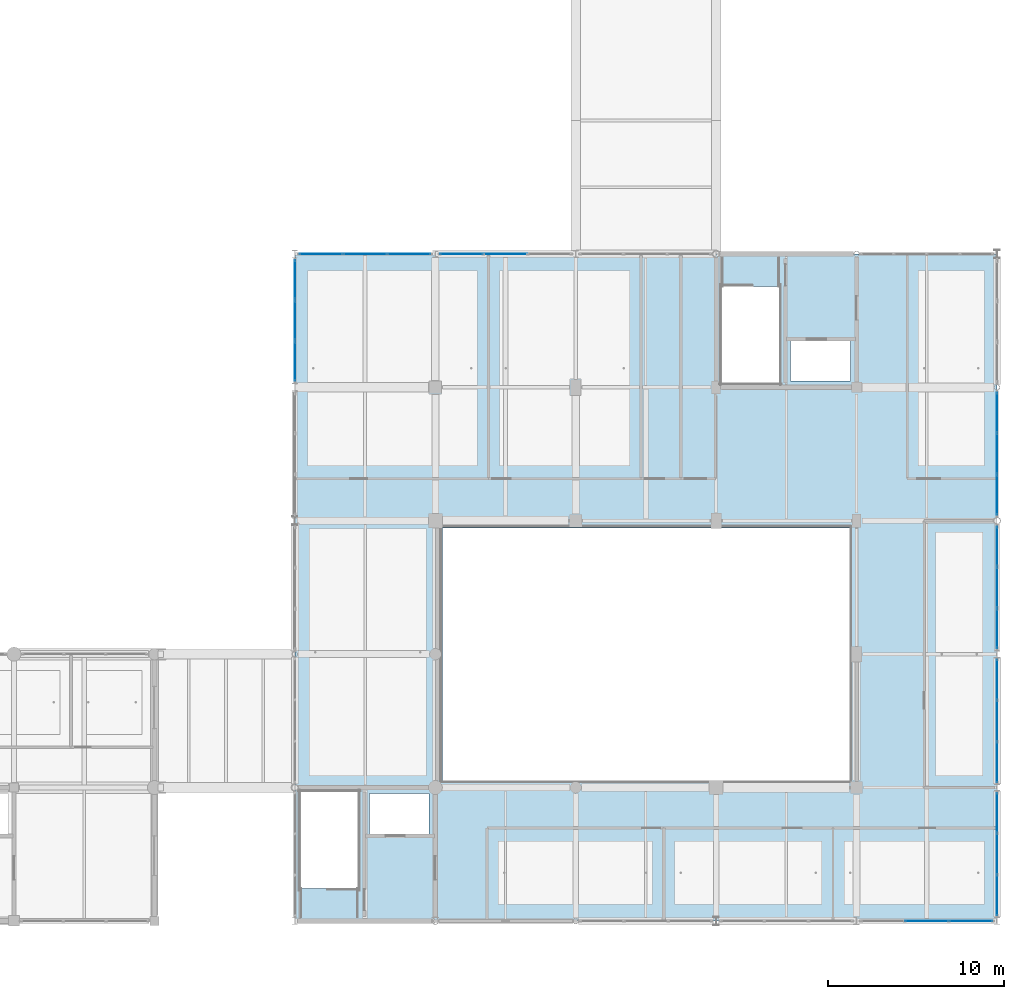
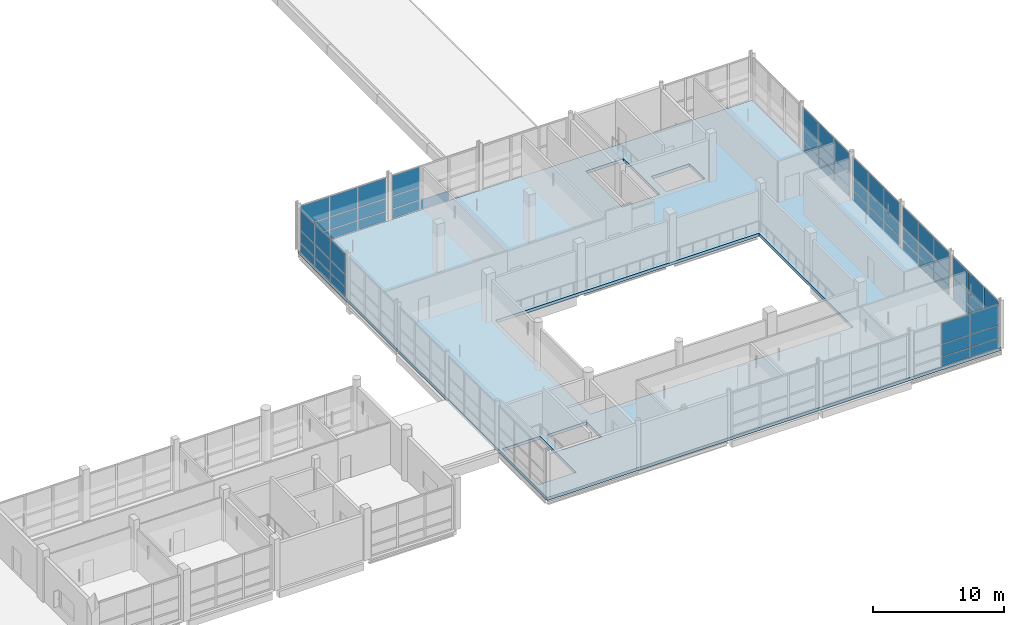
# One storey, part 61 of 107: 64 plates, 1 slab, 8 elements without a shape of their own.
"""IFC4 building model written with IfcOpenShell, lengths in metres."""

from ifc_helpers import new_model, si_unit, direction, frame, origin, origin_2d, place, context, subcontext, project, spatial, polyline, rectangle, outline, extrude, material, layer, layer_set, type_object, element, aggregate, save


model = new_model("IFC4")

# Units and contexts
model_context = context("Model", 3, precision=1e-05, world=origin(), true_north=direction((0.0, 1.0)))
body_context = subcontext(model_context, "Body", "Model", "MODEL_VIEW")
ifc_project = project(units=[si_unit("LENGTHUNIT", "METRE"), si_unit("AREAUNIT", "SQUARE_METRE"), si_unit("VOLUMEUNIT", "CUBIC_METRE"), si_unit("PLANEANGLEUNIT", "RADIAN"), si_unit("MASSUNIT", "GRAM", prefix="KILO")], contexts=[model_context])

# Site, building, storey
site_placement = place(None, origin())
site = spatial("IfcSite", under=ifc_project, at=site_placement, CompositionType="ELEMENT")
building_placement = place(site_placement, origin())
building = spatial("IfcBuilding", under=site, at=building_placement, Name="Khelvaren Railside Concert Hall", CompositionType="ELEMENT")
storey_placement = place(building_placement, frame((0.0, 0.0, 15.0)))
storey = spatial("IfcBuildingStorey", under=building, at=storey_placement, Name="L03", CompositionType="ELEMENT", Elevation=15.0)

# Curtain wall, plates
ifc_material_1 = material(Name="Double-glazed clear foyer glass", Category="glass")
curtain_wall_type_1 = type_object("IfcCurtainWallType", Name="CW70", PredefinedType="USERDEFINED", material=ifc_material_1)
curtain_wall_1_placement = place(storey_placement, origin())
curtain_wall_1 = element("IfcCurtainWall", 1, at=curtain_wall_1_placement, inside=storey, type_object=curtain_wall_type_1, Name="Unitised Curtain Wall CW-V2-L03-E-15", ObjectType="UNITISED CURTAIN WALL", PredefinedType="USERDEFINED")
ifc_layer_1 = layer(ifc_material_1, 0.0439453125)
ifc_layer_set_1 = layer_set([ifc_layer_1], Name="Double-glazed clear foyer glass")
plate_type_1 = type_object("IfcPlateType", Name="CWP33", PredefinedType="CURTAIN_PANEL", material=ifc_layer_set_1)
plate_1_placement = place(storey_placement, frame((184.0, 21.329345703125, 0.06494140625), z_axis=(0.0, 0.0, 1.0), x_axis=(0.0, -1.0, 0.0)))
plate_1 = element("IfcPlate", 2, at=plate_1_placement, type_object=plate_type_1, Name="CW70 panel 1.1", PredefinedType="CURTAIN_PANEL", context=body_context, shape_type="SweptSolid", body=[
    extrude(rectangle(XDim=2.23974609375, YDim=0.0439453125, at=origin_2d()), origin(), (0.0, 0.0, 1.0), 0.8525390625),
])
plate_2_placement = place(storey_placement, frame((184.0, 21.329345703125, 0.982421875), z_axis=(0.0, 0.0, 1.0), x_axis=(0.0, -1.0, 0.0)))
plate_2 = element("IfcPlate", 3, at=plate_2_placement, type_object=plate_type_1, Name="CW70 panel 1.2", PredefinedType="CURTAIN_PANEL", context=body_context, shape_type="SweptSolid", body=[
    extrude(rectangle(XDim=2.23974609375, YDim=0.0439453125, at=origin_2d()), origin(), (0.0, 0.0, 1.0), 1.12744140625),
])
plate_3_placement = place(storey_placement, frame((184.0, 21.329345703125, 2.1748046875), z_axis=(0.0, 0.0, 1.0), x_axis=(0.0, -1.0, 0.0)))
plate_3 = element("IfcPlate", 4, at=plate_3_placement, type_object=plate_type_1, Name="CW70 panel 1.3", PredefinedType="CURTAIN_PANEL", context=body_context, shape_type="SweptSolid", body=[
    extrude(rectangle(XDim=2.23974609375, YDim=0.0439453125, at=origin_2d()), origin(), (0.0, 0.0, 1.0), 1.880126953125),
])
plate_4_placement = place(storey_placement, frame((184.0, 18.995849609375, 0.06494140625), z_axis=(0.0, 0.0, 1.0), x_axis=(0.0, -1.0, 0.0)))
plate_4 = element("IfcPlate", 5, at=plate_4_placement, type_object=plate_type_1, Name="CW70 panel 2.1", PredefinedType="CURTAIN_PANEL", context=body_context, shape_type="SweptSolid", body=[
    extrude(rectangle(XDim=2.27734375, YDim=0.0439453125, at=origin_2d()), origin(), (0.0, 0.0, 1.0), 0.8525390625),
])
plate_5_placement = place(storey_placement, frame((184.0, 18.995849609375, 0.982421875), z_axis=(0.0, 0.0, 1.0), x_axis=(0.0, -1.0, 0.0)))
plate_5 = element("IfcPlate", 6, at=plate_5_placement, type_object=plate_type_1, Name="CW70 panel 2.2", PredefinedType="CURTAIN_PANEL", context=body_context, shape_type="SweptSolid", body=[
    extrude(rectangle(XDim=2.27734375, YDim=0.0439453125, at=origin_2d()), origin(), (0.0, 0.0, 1.0), 1.12744140625),
])
plate_6_placement = place(storey_placement, frame((184.0, 18.995849609375, 2.1748046875), z_axis=(0.0, 0.0, 1.0), x_axis=(0.0, -1.0, 0.0)))
plate_6 = element("IfcPlate", 7, at=plate_6_placement, type_object=plate_type_1, Name="CW70 panel 2.3", PredefinedType="CURTAIN_PANEL", context=body_context, shape_type="SweptSolid", body=[
    extrude(rectangle(XDim=2.27734375, YDim=0.0439453125, at=origin_2d()), origin(), (0.0, 0.0, 1.0), 1.880126953125),
])
plate_7_placement = place(storey_placement, frame((184.0, 16.662353515625, 0.06494140625), z_axis=(0.0, 0.0, 1.0), x_axis=(0.0, -1.0, 0.0)))
plate_7 = element("IfcPlate", 8, at=plate_7_placement, type_object=plate_type_1, Name="CW70 panel 3.1", PredefinedType="CURTAIN_PANEL", context=body_context, shape_type="SweptSolid", body=[
    extrude(rectangle(XDim=2.23974609375, YDim=0.0439453125, at=origin_2d()), origin(), (0.0, 0.0, 1.0), 0.8525390625),
])
plate_8_placement = place(storey_placement, frame((184.0, 16.662353515625, 0.982421875), z_axis=(0.0, 0.0, 1.0), x_axis=(0.0, -1.0, 0.0)))
plate_8 = element("IfcPlate", 9, at=plate_8_placement, type_object=plate_type_1, Name="CW70 panel 3.2", PredefinedType="CURTAIN_PANEL", context=body_context, shape_type="SweptSolid", body=[
    extrude(rectangle(XDim=2.23974609375, YDim=0.0439453125, at=origin_2d()), origin(), (0.0, 0.0, 1.0), 1.12744140625),
])
plate_9_placement = place(storey_placement, frame((184.0, 16.662353515625, 2.1748046875), z_axis=(0.0, 0.0, 1.0), x_axis=(0.0, -1.0, 0.0)))
plate_9 = element("IfcPlate", 10, at=plate_9_placement, type_object=plate_type_1, Name="CW70 panel 3.3", PredefinedType="CURTAIN_PANEL", context=body_context, shape_type="SweptSolid", body=[
    extrude(rectangle(XDim=2.23974609375, YDim=0.0439453125, at=origin_2d()), origin(), (0.0, 0.0, 1.0), 1.880126953125),
])
aggregate(curtain_wall_1, [plate_1, plate_2, plate_3, plate_4, plate_5, plate_6, plate_7, plate_8, plate_9])

curtain_wall_type_2 = type_object("IfcCurtainWallType", Name="CW83", PredefinedType="USERDEFINED", material=ifc_material_1)
curtain_wall_2_placement = place(storey_placement, origin())
curtain_wall_2 = element("IfcCurtainWall", 11, at=curtain_wall_2_placement, inside=storey, type_object=curtain_wall_type_2, Name="Unitised Curtain Wall CW-V2-L03-E-23", ObjectType="UNITISED CURTAIN WALL", PredefinedType="USERDEFINED")
plate_10_placement = place(storey_placement, frame((184.0, 28.965087890625, 0.06494140625), z_axis=(0.0, 0.0, 1.0), x_axis=(0.0, -1.0, 0.0)))
plate_10 = element("IfcPlate", 12, at=plate_10_placement, type_object=plate_type_1, Name="CW83 panel 1.1", PredefinedType="CURTAIN_PANEL", context=body_context, shape_type="SweptSolid", body=[
    extrude(rectangle(XDim=2.250732421875, YDim=0.0439453125, at=origin_2d()), origin(), (0.0, 0.0, 1.0), 0.8525390625),
])
plate_11_placement = place(storey_placement, frame((184.0, 28.965087890625, 0.982421875), z_axis=(0.0, 0.0, 1.0), x_axis=(0.0, -1.0, 0.0)))
plate_11 = element("IfcPlate", 13, at=plate_11_placement, type_object=plate_type_1, Name="CW83 panel 1.2", PredefinedType="CURTAIN_PANEL", context=body_context, shape_type="SweptSolid", body=[
    extrude(rectangle(XDim=2.250732421875, YDim=0.0439453125, at=origin_2d()), origin(), (0.0, 0.0, 1.0), 1.12744140625),
])
plate_12_placement = place(storey_placement, frame((184.0, 28.965087890625, 2.1748046875), z_axis=(0.0, 0.0, 1.0), x_axis=(0.0, -1.0, 0.0)))
plate_12 = element("IfcPlate", 14, at=plate_12_placement, type_object=plate_type_1, Name="CW83 panel 1.3", PredefinedType="CURTAIN_PANEL", context=body_context, shape_type="SweptSolid", body=[
    extrude(rectangle(XDim=2.250732421875, YDim=0.0439453125, at=origin_2d()), origin(), (0.0, 0.0, 1.0), 1.880126953125),
])
plate_13_placement = place(storey_placement, frame((184.0, 26.62060546875, 0.06494140625), z_axis=(0.0, 0.0, 1.0), x_axis=(0.0, -1.0, 0.0)))
plate_13 = element("IfcPlate", 15, at=plate_13_placement, type_object=plate_type_1, Name="CW83 panel 2.1", PredefinedType="CURTAIN_PANEL", context=body_context, shape_type="SweptSolid", body=[
    extrude(rectangle(XDim=2.288330078125, YDim=0.0439453125, at=origin_2d()), origin(), (0.0, 0.0, 1.0), 0.8525390625),
])
plate_14_placement = place(storey_placement, frame((184.0, 26.62060546875, 0.982421875), z_axis=(0.0, 0.0, 1.0), x_axis=(0.0, -1.0, 0.0)))
plate_14 = element("IfcPlate", 16, at=plate_14_placement, type_object=plate_type_1, Name="CW83 panel 2.2", PredefinedType="CURTAIN_PANEL", context=body_context, shape_type="SweptSolid", body=[
    extrude(rectangle(XDim=2.288330078125, YDim=0.0439453125, at=origin_2d()), origin(), (0.0, 0.0, 1.0), 1.12744140625),
])
plate_15_placement = place(storey_placement, frame((184.0, 26.62060546875, 2.1748046875), z_axis=(0.0, 0.0, 1.0), x_axis=(0.0, -1.0, 0.0)))
plate_15 = element("IfcPlate", 17, at=plate_15_placement, type_object=plate_type_1, Name="CW83 panel 2.3", PredefinedType="CURTAIN_PANEL", context=body_context, shape_type="SweptSolid", body=[
    extrude(rectangle(XDim=2.288330078125, YDim=0.0439453125, at=origin_2d()), origin(), (0.0, 0.0, 1.0), 1.880126953125),
])
plate_16_placement = place(storey_placement, frame((184.0, 24.276123046875, 0.06494140625), z_axis=(0.0, 0.0, 1.0), x_axis=(0.0, -1.0, 0.0)))
plate_16 = element("IfcPlate", 18, at=plate_16_placement, type_object=plate_type_1, Name="CW83 panel 3.1", PredefinedType="CURTAIN_PANEL", context=body_context, shape_type="SweptSolid", body=[
    extrude(rectangle(XDim=2.250732421875, YDim=0.0439453125, at=origin_2d()), origin(), (0.0, 0.0, 1.0), 0.8525390625),
])
plate_17_placement = place(storey_placement, frame((184.0, 24.276123046875, 0.982421875), z_axis=(0.0, 0.0, 1.0), x_axis=(0.0, -1.0, 0.0)))
plate_17 = element("IfcPlate", 19, at=plate_17_placement, type_object=plate_type_1, Name="CW83 panel 3.2", PredefinedType="CURTAIN_PANEL", context=body_context, shape_type="SweptSolid", body=[
    extrude(rectangle(XDim=2.250732421875, YDim=0.0439453125, at=origin_2d()), origin(), (0.0, 0.0, 1.0), 1.12744140625),
])
plate_18_placement = place(storey_placement, frame((184.0, 24.276123046875, 2.1748046875), z_axis=(0.0, 0.0, 1.0), x_axis=(0.0, -1.0, 0.0)))
plate_18 = element("IfcPlate", 20, at=plate_18_placement, type_object=plate_type_1, Name="CW83 panel 3.3", PredefinedType="CURTAIN_PANEL", context=body_context, shape_type="SweptSolid", body=[
    extrude(rectangle(XDim=2.250732421875, YDim=0.0439453125, at=origin_2d()), origin(), (0.0, 0.0, 1.0), 1.880126953125),
])
aggregate(curtain_wall_2, [plate_10, plate_11, plate_12, plate_13, plate_14, plate_15, plate_16, plate_17, plate_18])

ifc_material_2 = material(Name="Acoustic laminated crystal facade glass", Category="glass")
curtain_wall_type_3 = type_object("IfcCurtainWallType", Name="CW21", PredefinedType="USERDEFINED", material=ifc_material_2)
curtain_wall_3_placement = place(storey_placement, origin())
curtain_wall_3 = element("IfcCurtainWall", 21, at=curtain_wall_3_placement, inside=storey, type_object=curtain_wall_type_3, Name="Unitised Curtain Wall CW-V2-L03-W-30", ObjectType="UNITISED CURTAIN WALL", PredefinedType="USERDEFINED")
ifc_layer_2 = layer(ifc_material_2, 0.0400390625)
ifc_layer_set_2 = layer_set([ifc_layer_2], Name="Acoustic laminated crystal facade glass")
plate_type_2 = type_object("IfcPlateType", Name="CWP77", PredefinedType="CURTAIN_PANEL", material=ifc_layer_set_2)
plate_19_placement = place(storey_placement, frame((144.0, 31.893798828125, 0.0849609375), z_axis=(0.0, 0.0, 1.0), x_axis=(0.0, 1.0, 0.0)))
plate_19 = element("IfcPlate", 22, at=plate_19_placement, type_object=plate_type_2, Name="CW21 panel 1.1", PredefinedType="CURTAIN_PANEL", context=body_context, shape_type="SweptSolid", body=[
    extrude(rectangle(XDim=2.21240234375, YDim=0.0400390625, at=origin_2d()), origin(), (0.0, 0.0, 1.0), 0.822509765625),
])
plate_20_placement = place(storey_placement, frame((144.0, 31.893798828125, 0.992431640625), z_axis=(0.0, 0.0, 1.0), x_axis=(0.0, 1.0, 0.0)))
plate_20 = element("IfcPlate", 23, at=plate_20_placement, type_object=plate_type_2, Name="CW21 panel 1.2", PredefinedType="CURTAIN_PANEL", context=body_context, shape_type="SweptSolid", body=[
    extrude(rectangle(XDim=2.21240234375, YDim=0.0400390625, at=origin_2d()), origin(), (0.0, 0.0, 1.0), 1.107421875),
])
plate_21_placement = place(storey_placement, frame((144.0, 31.893798828125, 2.184814453125), z_axis=(0.0, 0.0, 1.0), x_axis=(0.0, 1.0, 0.0)))
plate_21 = element("IfcPlate", 24, at=plate_21_placement, type_object=plate_type_2, Name="CW21 panel 1.3", PredefinedType="CURTAIN_PANEL", context=body_context, shape_type="SweptSolid", body=[
    extrude(rectangle(XDim=2.21240234375, YDim=0.0400390625, at=origin_2d()), origin(), (0.0, 0.0, 1.0), 1.85009765625),
])
plate_22_placement = place(storey_placement, frame((144.0, 34.21240234375, 0.0849609375), z_axis=(0.0, 0.0, 1.0), x_axis=(0.0, 1.0, 0.0)))
plate_22 = element("IfcPlate", 25, at=plate_22_placement, type_object=plate_type_2, Name="CW21 panel 2.1", PredefinedType="CURTAIN_PANEL", context=body_context, shape_type="SweptSolid", body=[
    extrude(rectangle(XDim=2.2548828125, YDim=0.0400390625, at=origin_2d()), origin(), (0.0, 0.0, 1.0), 0.822509765625),
])
plate_23_placement = place(storey_placement, frame((144.0, 34.21240234375, 0.992431640625), z_axis=(0.0, 0.0, 1.0), x_axis=(0.0, 1.0, 0.0)))
plate_23 = element("IfcPlate", 26, at=plate_23_placement, type_object=plate_type_2, Name="CW21 panel 2.2", PredefinedType="CURTAIN_PANEL", context=body_context, shape_type="SweptSolid", body=[
    extrude(rectangle(XDim=2.2548828125, YDim=0.0400390625, at=origin_2d()), origin(), (0.0, 0.0, 1.0), 1.107421875),
])
plate_24_placement = place(storey_placement, frame((144.0, 34.21240234375, 2.184814453125), z_axis=(0.0, 0.0, 1.0), x_axis=(0.0, 1.0, 0.0)))
plate_24 = element("IfcPlate", 27, at=plate_24_placement, type_object=plate_type_2, Name="CW21 panel 2.3", PredefinedType="CURTAIN_PANEL", context=body_context, shape_type="SweptSolid", body=[
    extrude(rectangle(XDim=2.2548828125, YDim=0.0400390625, at=origin_2d()), origin(), (0.0, 0.0, 1.0), 1.85009765625),
])
plate_25_placement = place(storey_placement, frame((144.0, 36.53125, 0.0849609375), z_axis=(0.0, 0.0, 1.0), x_axis=(0.0, 1.0, 0.0)))
plate_25 = element("IfcPlate", 28, at=plate_25_placement, type_object=plate_type_2, Name="CW21 panel 3.1", PredefinedType="CURTAIN_PANEL", context=body_context, shape_type="SweptSolid", body=[
    extrude(rectangle(XDim=2.21240234375, YDim=0.0400390625, at=origin_2d()), origin(), (0.0, 0.0, 1.0), 0.822509765625),
])
plate_26_placement = place(storey_placement, frame((144.0, 36.53125, 0.992431640625), z_axis=(0.0, 0.0, 1.0), x_axis=(0.0, 1.0, 0.0)))
plate_26 = element("IfcPlate", 29, at=plate_26_placement, type_object=plate_type_2, Name="CW21 panel 3.2", PredefinedType="CURTAIN_PANEL", context=body_context, shape_type="SweptSolid", body=[
    extrude(rectangle(XDim=2.21240234375, YDim=0.0400390625, at=origin_2d()), origin(), (0.0, 0.0, 1.0), 1.107421875),
])
plate_27_placement = place(storey_placement, frame((144.0, 36.53125, 2.184814453125), z_axis=(0.0, 0.0, 1.0), x_axis=(0.0, 1.0, 0.0)))
plate_27 = element("IfcPlate", 30, at=plate_27_placement, type_object=plate_type_2, Name="CW21 panel 3.3", PredefinedType="CURTAIN_PANEL", context=body_context, shape_type="SweptSolid", body=[
    extrude(rectangle(XDim=2.21240234375, YDim=0.0400390625, at=origin_2d()), origin(), (0.0, 0.0, 1.0), 1.85009765625),
])
aggregate(curtain_wall_3, [plate_19, plate_20, plate_21, plate_22, plate_23, plate_24, plate_25, plate_26, plate_27])

ifc_material_3 = material(Name="Double-glazed low-E dark acoustic glass", Category="glass")
curtain_wall_type_4 = type_object("IfcCurtainWallType", Name="CW32", PredefinedType="USERDEFINED", material=ifc_material_3)
curtain_wall_4_placement = place(storey_placement, origin())
curtain_wall_4 = element("IfcCurtainWall", 31, at=curtain_wall_4_placement, inside=storey, type_object=curtain_wall_type_4, Name="Unitised Curtain Wall CW-V2-L03-S-176", ObjectType="UNITISED CURTAIN WALL", PredefinedType="USERDEFINED")
ifc_layer_3 = layer(ifc_material_3, 0.031982421875)
ifc_layer_set_3 = layer_set([ifc_layer_3], Name="Double-glazed low-E dark acoustic glass")
plate_type_3 = type_object("IfcPlateType", Name="CWP84", PredefinedType="CURTAIN_PANEL", material=ifc_layer_set_3)
plate_28_placement = place(storey_placement, frame((182.50537109375, 0.0, 0.06494140625), z_axis=(0.0, 0.0, 1.0), x_axis=(-1.0, 0.0, 0.0)))
plate_28 = element("IfcPlate", 32, at=plate_28_placement, type_object=plate_type_3, Name="CW32 panel 1.1", PredefinedType="CURTAIN_PANEL", context=body_context, shape_type="SweptSolid", body=[
    extrude(rectangle(XDim=2.424072265625, YDim=0.031982421875, at=origin_2d()), origin(), (0.0, 0.0, 1.0), 0.8525390625),
])
plate_29_placement = place(storey_placement, frame((182.50537109375, 0.0, 0.982421875), z_axis=(0.0, 0.0, 1.0), x_axis=(-1.0, 0.0, 0.0)))
plate_29 = element("IfcPlate", 33, at=plate_29_placement, type_object=plate_type_3, Name="CW32 panel 1.2", PredefinedType="CURTAIN_PANEL", context=body_context, shape_type="SweptSolid", body=[
    extrude(rectangle(XDim=2.424072265625, YDim=0.031982421875, at=origin_2d()), origin(), (0.0, 0.0, 1.0), 1.12744140625),
])
plate_30_placement = place(storey_placement, frame((182.50537109375, 0.0, 2.1748046875), z_axis=(0.0, 0.0, 1.0), x_axis=(-1.0, 0.0, 0.0)))
plate_30 = element("IfcPlate", 34, at=plate_30_placement, type_object=plate_type_3, Name="CW32 panel 1.3", PredefinedType="CURTAIN_PANEL", context=body_context, shape_type="SweptSolid", body=[
    extrude(rectangle(XDim=2.424072265625, YDim=0.031982421875, at=origin_2d()), origin(), (0.0, 0.0, 1.0), 1.880126953125),
])
plate_31_placement = place(storey_placement, frame((180.0, 0.0, 0.06494140625), z_axis=(0.0, 0.0, 1.0), x_axis=(-1.0, 0.0, 0.0)))
plate_31 = element("IfcPlate", 35, at=plate_31_placement, type_object=plate_type_3, Name="CW32 panel 2.1", PredefinedType="CURTAIN_PANEL", context=body_context, shape_type="SweptSolid", body=[
    extrude(rectangle(XDim=2.456787109375, YDim=0.031982421875, at=origin_2d()), origin(), (0.0, 0.0, 1.0), 0.8525390625),
])
plate_32_placement = place(storey_placement, frame((180.0, 0.0, 0.982421875), z_axis=(0.0, 0.0, 1.0), x_axis=(-1.0, 0.0, 0.0)))
plate_32 = element("IfcPlate", 36, at=plate_32_placement, type_object=plate_type_3, Name="CW32 panel 2.2", PredefinedType="CURTAIN_PANEL", context=body_context, shape_type="SweptSolid", body=[
    extrude(rectangle(XDim=2.456787109375, YDim=0.031982421875, at=origin_2d()), origin(), (0.0, 0.0, 1.0), 1.12744140625),
])
plate_33_placement = place(storey_placement, frame((180.0, 0.0, 2.1748046875), z_axis=(0.0, 0.0, 1.0), x_axis=(-1.0, 0.0, 0.0)))
plate_33 = element("IfcPlate", 37, at=plate_33_placement, type_object=plate_type_3, Name="CW32 panel 2.3", PredefinedType="CURTAIN_PANEL", context=body_context, shape_type="SweptSolid", body=[
    extrude(rectangle(XDim=2.456787109375, YDim=0.031982421875, at=origin_2d()), origin(), (0.0, 0.0, 1.0), 1.880126953125),
])
aggregate(curtain_wall_4, [plate_28, plate_29, plate_30, plate_31, plate_32, plate_33])

curtain_wall_type_5 = type_object("IfcCurtainWallType", Name="CW65", PredefinedType="USERDEFINED", material=ifc_material_3)
curtain_wall_5_placement = place(storey_placement, origin())
curtain_wall_5 = element("IfcCurtainWall", 38, at=curtain_wall_5_placement, inside=storey, type_object=curtain_wall_type_5, Name="Unitised Curtain Wall CW-V2-L03-N-144", ObjectType="UNITISED CURTAIN WALL", PredefinedType="USERDEFINED")
plate_34_placement = place(storey_placement, frame((145.49462890625, 38.0, 0.06494140625), z_axis=(0.0, 0.0, 1.0), x_axis=(1.0, 0.0, 0.0)))
plate_34 = element("IfcPlate", 39, at=plate_34_placement, type_object=plate_type_3, Name="CW65 panel 1.1", PredefinedType="CURTAIN_PANEL", context=body_context, shape_type="SweptSolid", body=[
    extrude(rectangle(XDim=2.424072265625, YDim=0.031982421875, at=origin_2d()), origin(), (0.0, 0.0, 1.0), 0.8525390625),
])
plate_35_placement = place(storey_placement, frame((145.49462890625, 38.0, 0.982421875), z_axis=(0.0, 0.0, 1.0), x_axis=(1.0, 0.0, 0.0)))
plate_35 = element("IfcPlate", 40, at=plate_35_placement, type_object=plate_type_3, Name="CW65 panel 1.2", PredefinedType="CURTAIN_PANEL", context=body_context, shape_type="SweptSolid", body=[
    extrude(rectangle(XDim=2.424072265625, YDim=0.031982421875, at=origin_2d()), origin(), (0.0, 0.0, 1.0), 1.12744140625),
])
plate_36_placement = place(storey_placement, frame((145.49462890625, 38.0, 2.1748046875), z_axis=(0.0, 0.0, 1.0), x_axis=(1.0, 0.0, 0.0)))
plate_36 = element("IfcPlate", 41, at=plate_36_placement, type_object=plate_type_3, Name="CW65 panel 1.3", PredefinedType="CURTAIN_PANEL", context=body_context, shape_type="SweptSolid", body=[
    extrude(rectangle(XDim=2.424072265625, YDim=0.031982421875, at=origin_2d()), origin(), (0.0, 0.0, 1.0), 1.880126953125),
])
plate_37_placement = place(storey_placement, frame((148.0, 38.0, 0.06494140625), z_axis=(0.0, 0.0, 1.0), x_axis=(1.0, 0.0, 0.0)))
plate_37 = element("IfcPlate", 42, at=plate_37_placement, type_object=plate_type_3, Name="CW65 panel 2.1", PredefinedType="CURTAIN_PANEL", context=body_context, shape_type="SweptSolid", body=[
    extrude(rectangle(XDim=2.456787109375, YDim=0.031982421875, at=origin_2d()), origin(), (0.0, 0.0, 1.0), 0.8525390625),
])
plate_38_placement = place(storey_placement, frame((148.0, 38.0, 0.982421875), z_axis=(0.0, 0.0, 1.0), x_axis=(1.0, 0.0, 0.0)))
plate_38 = element("IfcPlate", 43, at=plate_38_placement, type_object=plate_type_3, Name="CW65 panel 2.2", PredefinedType="CURTAIN_PANEL", context=body_context, shape_type="SweptSolid", body=[
    extrude(rectangle(XDim=2.456787109375, YDim=0.031982421875, at=origin_2d()), origin(), (0.0, 0.0, 1.0), 1.12744140625),
])
plate_39_placement = place(storey_placement, frame((148.0, 38.0, 2.1748046875), z_axis=(0.0, 0.0, 1.0), x_axis=(1.0, 0.0, 0.0)))
plate_39 = element("IfcPlate", 44, at=plate_39_placement, type_object=plate_type_3, Name="CW65 panel 2.3", PredefinedType="CURTAIN_PANEL", context=body_context, shape_type="SweptSolid", body=[
    extrude(rectangle(XDim=2.456787109375, YDim=0.031982421875, at=origin_2d()), origin(), (0.0, 0.0, 1.0), 1.880126953125),
])
plate_40_placement = place(storey_placement, frame((150.50537109375, 38.0, 0.06494140625), z_axis=(0.0, 0.0, 1.0), x_axis=(1.0, 0.0, 0.0)))
plate_40 = element("IfcPlate", 45, at=plate_40_placement, type_object=plate_type_3, Name="CW65 panel 3.1", PredefinedType="CURTAIN_PANEL", context=body_context, shape_type="SweptSolid", body=[
    extrude(rectangle(XDim=2.424072265625, YDim=0.031982421875, at=origin_2d()), origin(), (0.0, 0.0, 1.0), 0.8525390625),
])
plate_41_placement = place(storey_placement, frame((150.50537109375, 38.0, 0.982421875), z_axis=(0.0, 0.0, 1.0), x_axis=(1.0, 0.0, 0.0)))
plate_41 = element("IfcPlate", 46, at=plate_41_placement, type_object=plate_type_3, Name="CW65 panel 3.2", PredefinedType="CURTAIN_PANEL", context=body_context, shape_type="SweptSolid", body=[
    extrude(rectangle(XDim=2.424072265625, YDim=0.031982421875, at=origin_2d()), origin(), (0.0, 0.0, 1.0), 1.12744140625),
])
plate_42_placement = place(storey_placement, frame((150.50537109375, 38.0, 2.1748046875), z_axis=(0.0, 0.0, 1.0), x_axis=(1.0, 0.0, 0.0)))
plate_42 = element("IfcPlate", 47, at=plate_42_placement, type_object=plate_type_3, Name="CW65 panel 3.3", PredefinedType="CURTAIN_PANEL", context=body_context, shape_type="SweptSolid", body=[
    extrude(rectangle(XDim=2.424072265625, YDim=0.031982421875, at=origin_2d()), origin(), (0.0, 0.0, 1.0), 1.880126953125),
])
aggregate(curtain_wall_5, [plate_34, plate_35, plate_36, plate_37, plate_38, plate_39, plate_40, plate_41, plate_42])

curtain_wall_type_6 = type_object("IfcCurtainWallType", Name="CW69", PredefinedType="USERDEFINED", material=ifc_material_3)
curtain_wall_6_placement = place(storey_placement, origin())
curtain_wall_6 = element("IfcCurtainWall", 48, at=curtain_wall_6_placement, inside=storey, type_object=curtain_wall_type_6, Name="Unitised Curtain Wall CW-V2-L03-N-152", ObjectType="UNITISED CURTAIN WALL", PredefinedType="USERDEFINED")
plate_43_placement = place(storey_placement, frame((153.49462890625, 38.0, 0.06494140625), z_axis=(0.0, 0.0, 1.0), x_axis=(1.0, 0.0, 0.0)))
plate_43 = element("IfcPlate", 49, at=plate_43_placement, type_object=plate_type_3, Name="CW69 panel 1.1", PredefinedType="CURTAIN_PANEL", context=body_context, shape_type="SweptSolid", body=[
    extrude(rectangle(XDim=2.424072265625, YDim=0.031982421875, at=origin_2d()), origin(), (0.0, 0.0, 1.0), 0.8525390625),
])
plate_44_placement = place(storey_placement, frame((153.49462890625, 38.0, 0.982421875), z_axis=(0.0, 0.0, 1.0), x_axis=(1.0, 0.0, 0.0)))
plate_44 = element("IfcPlate", 50, at=plate_44_placement, type_object=plate_type_3, Name="CW69 panel 1.2", PredefinedType="CURTAIN_PANEL", context=body_context, shape_type="SweptSolid", body=[
    extrude(rectangle(XDim=2.424072265625, YDim=0.031982421875, at=origin_2d()), origin(), (0.0, 0.0, 1.0), 1.12744140625),
])
plate_45_placement = place(storey_placement, frame((153.49462890625, 38.0, 2.1748046875), z_axis=(0.0, 0.0, 1.0), x_axis=(1.0, 0.0, 0.0)))
plate_45 = element("IfcPlate", 51, at=plate_45_placement, type_object=plate_type_3, Name="CW69 panel 1.3", PredefinedType="CURTAIN_PANEL", context=body_context, shape_type="SweptSolid", body=[
    extrude(rectangle(XDim=2.424072265625, YDim=0.031982421875, at=origin_2d()), origin(), (0.0, 0.0, 1.0), 1.880126953125),
])
plate_46_placement = place(storey_placement, frame((156.0, 38.0, 0.06494140625), z_axis=(0.0, 0.0, 1.0), x_axis=(1.0, 0.0, 0.0)))
plate_46 = element("IfcPlate", 52, at=plate_46_placement, type_object=plate_type_3, Name="CW69 panel 2.1", PredefinedType="CURTAIN_PANEL", context=body_context, shape_type="SweptSolid", body=[
    extrude(rectangle(XDim=2.456787109375, YDim=0.031982421875, at=origin_2d()), origin(), (0.0, 0.0, 1.0), 0.8525390625),
])
aggregate(curtain_wall_6, [plate_43, plate_44, plate_45, plate_46])

curtain_wall_7_placement = place(storey_placement, origin())
curtain_wall_7 = element("IfcCurtainWall", 53, at=curtain_wall_7_placement, inside=storey, type_object=curtain_wall_type_5, Name="Unitised Curtain Wall CW-V2-L03-E-0", ObjectType="UNITISED CURTAIN WALL", PredefinedType="USERDEFINED")
plate_47_placement = place(storey_placement, frame((184.0, 6.155517578125, 0.06494140625), z_axis=(0.0, 0.0, 1.0), x_axis=(0.0, -1.0, 0.0)))
plate_47 = element("IfcPlate", 54, at=plate_47_placement, type_object=plate_type_3, Name="CW65 panel 1.1", PredefinedType="CURTAIN_PANEL", context=body_context, shape_type="SweptSolid", body=[
    extrude(rectangle(XDim=2.26416015625, YDim=0.031982421875, at=origin_2d()), origin(), (0.0, 0.0, 1.0), 0.8525390625),
])
plate_48_placement = place(storey_placement, frame((184.0, 6.155517578125, 0.982421875), z_axis=(0.0, 0.0, 1.0), x_axis=(0.0, -1.0, 0.0)))
plate_48 = element("IfcPlate", 55, at=plate_48_placement, type_object=plate_type_3, Name="CW65 panel 1.2", PredefinedType="CURTAIN_PANEL", context=body_context, shape_type="SweptSolid", body=[
    extrude(rectangle(XDim=2.26416015625, YDim=0.031982421875, at=origin_2d()), origin(), (0.0, 0.0, 1.0), 1.12744140625),
])
plate_49_placement = place(storey_placement, frame((184.0, 6.155517578125, 2.1748046875), z_axis=(0.0, 0.0, 1.0), x_axis=(0.0, -1.0, 0.0)))
plate_49 = element("IfcPlate", 56, at=plate_49_placement, type_object=plate_type_3, Name="CW65 panel 1.3", PredefinedType="CURTAIN_PANEL", context=body_context, shape_type="SweptSolid", body=[
    extrude(rectangle(XDim=2.26416015625, YDim=0.031982421875, at=origin_2d()), origin(), (0.0, 0.0, 1.0), 1.880126953125),
])
plate_50_placement = place(storey_placement, frame((184.0, 3.81005859375, 0.06494140625), z_axis=(0.0, 0.0, 1.0), x_axis=(0.0, -1.0, 0.0)))
plate_50 = element("IfcPlate", 57, at=plate_50_placement, type_object=plate_type_3, Name="CW65 panel 2.1", PredefinedType="CURTAIN_PANEL", context=body_context, shape_type="SweptSolid", body=[
    extrude(rectangle(XDim=2.296630859375, YDim=0.031982421875, at=origin_2d()), origin(), (0.0, 0.0, 1.0), 0.8525390625),
])
plate_51_placement = place(storey_placement, frame((184.0, 3.81005859375, 0.982421875), z_axis=(0.0, 0.0, 1.0), x_axis=(0.0, -1.0, 0.0)))
plate_51 = element("IfcPlate", 58, at=plate_51_placement, type_object=plate_type_3, Name="CW65 panel 2.2", PredefinedType="CURTAIN_PANEL", context=body_context, shape_type="SweptSolid", body=[
    extrude(rectangle(XDim=2.296630859375, YDim=0.031982421875, at=origin_2d()), origin(), (0.0, 0.0, 1.0), 1.12744140625),
])
plate_52_placement = place(storey_placement, frame((184.0, 3.81005859375, 2.1748046875), z_axis=(0.0, 0.0, 1.0), x_axis=(0.0, -1.0, 0.0)))
plate_52 = element("IfcPlate", 59, at=plate_52_placement, type_object=plate_type_3, Name="CW65 panel 2.3", PredefinedType="CURTAIN_PANEL", context=body_context, shape_type="SweptSolid", body=[
    extrude(rectangle(XDim=2.296630859375, YDim=0.031982421875, at=origin_2d()), origin(), (0.0, 0.0, 1.0), 1.880126953125),
])
plate_53_placement = place(storey_placement, frame((184.0, 1.464599609375, 0.06494140625), z_axis=(0.0, 0.0, 1.0), x_axis=(0.0, -1.0, 0.0)))
plate_53 = element("IfcPlate", 60, at=plate_53_placement, type_object=plate_type_3, Name="CW65 panel 3.1", PredefinedType="CURTAIN_PANEL", context=body_context, shape_type="SweptSolid", body=[
    extrude(rectangle(XDim=2.26416015625, YDim=0.031982421875, at=origin_2d()), origin(), (0.0, 0.0, 1.0), 0.8525390625),
])
plate_54_placement = place(storey_placement, frame((184.0, 1.464599609375, 0.982421875), z_axis=(0.0, 0.0, 1.0), x_axis=(0.0, -1.0, 0.0)))
plate_54 = element("IfcPlate", 61, at=plate_54_placement, type_object=plate_type_3, Name="CW65 panel 3.2", PredefinedType="CURTAIN_PANEL", context=body_context, shape_type="SweptSolid", body=[
    extrude(rectangle(XDim=2.26416015625, YDim=0.031982421875, at=origin_2d()), origin(), (0.0, 0.0, 1.0), 1.12744140625),
])
plate_55_placement = place(storey_placement, frame((184.0, 1.464599609375, 2.1748046875), z_axis=(0.0, 0.0, 1.0), x_axis=(0.0, -1.0, 0.0)))
plate_55 = element("IfcPlate", 62, at=plate_55_placement, type_object=plate_type_3, Name="CW65 panel 3.3", PredefinedType="CURTAIN_PANEL", context=body_context, shape_type="SweptSolid", body=[
    extrude(rectangle(XDim=2.26416015625, YDim=0.031982421875, at=origin_2d()), origin(), (0.0, 0.0, 1.0), 1.880126953125),
])
aggregate(curtain_wall_7, [plate_47, plate_48, plate_49, plate_50, plate_51, plate_52, plate_53, plate_54, plate_55])

curtain_wall_8_placement = place(storey_placement, origin())
curtain_wall_8 = element("IfcCurtainWall", 63, at=curtain_wall_8_placement, inside=storey, type_object=curtain_wall_type_6, Name="Unitised Curtain Wall CW-V2-L03-E-8", ObjectType="UNITISED CURTAIN WALL", PredefinedType="USERDEFINED")
plate_56_placement = place(storey_placement, frame((184.0, 13.739501953125, 0.06494140625), z_axis=(0.0, 0.0, 1.0), x_axis=(0.0, -1.0, 0.0)))
plate_56 = element("IfcPlate", 64, at=plate_56_placement, type_object=plate_type_3, Name="CW69 panel 1.1", PredefinedType="CURTAIN_PANEL", context=body_context, shape_type="SweptSolid", body=[
    extrude(rectangle(XDim=2.265869140625, YDim=0.031982421875, at=origin_2d()), origin(), (0.0, 0.0, 1.0), 0.8525390625),
])
plate_57_placement = place(storey_placement, frame((184.0, 13.739501953125, 0.982421875), z_axis=(0.0, 0.0, 1.0), x_axis=(0.0, -1.0, 0.0)))
plate_57 = element("IfcPlate", 65, at=plate_57_placement, type_object=plate_type_3, Name="CW69 panel 1.2", PredefinedType="CURTAIN_PANEL", context=body_context, shape_type="SweptSolid", body=[
    extrude(rectangle(XDim=2.265869140625, YDim=0.031982421875, at=origin_2d()), origin(), (0.0, 0.0, 1.0), 1.12744140625),
])
plate_58_placement = place(storey_placement, frame((184.0, 13.739501953125, 2.1748046875), z_axis=(0.0, 0.0, 1.0), x_axis=(0.0, -1.0, 0.0)))
plate_58 = element("IfcPlate", 66, at=plate_58_placement, type_object=plate_type_3, Name="CW69 panel 1.3", PredefinedType="CURTAIN_PANEL", context=body_context, shape_type="SweptSolid", body=[
    extrude(rectangle(XDim=2.265869140625, YDim=0.031982421875, at=origin_2d()), origin(), (0.0, 0.0, 1.0), 1.880126953125),
])
plate_59_placement = place(storey_placement, frame((184.0, 11.392578125, 0.06494140625), z_axis=(0.0, 0.0, 1.0), x_axis=(0.0, -1.0, 0.0)))
plate_59 = element("IfcPlate", 67, at=plate_59_placement, type_object=plate_type_3, Name="CW69 panel 2.1", PredefinedType="CURTAIN_PANEL", context=body_context, shape_type="SweptSolid", body=[
    extrude(rectangle(XDim=2.29833984375, YDim=0.031982421875, at=origin_2d()), origin(), (0.0, 0.0, 1.0), 0.8525390625),
])
plate_60_placement = place(storey_placement, frame((184.0, 11.392578125, 0.982421875), z_axis=(0.0, 0.0, 1.0), x_axis=(0.0, -1.0, 0.0)))
plate_60 = element("IfcPlate", 68, at=plate_60_placement, type_object=plate_type_3, Name="CW69 panel 2.2", PredefinedType="CURTAIN_PANEL", context=body_context, shape_type="SweptSolid", body=[
    extrude(rectangle(XDim=2.29833984375, YDim=0.031982421875, at=origin_2d()), origin(), (0.0, 0.0, 1.0), 1.12744140625),
])
plate_61_placement = place(storey_placement, frame((184.0, 11.392578125, 2.1748046875), z_axis=(0.0, 0.0, 1.0), x_axis=(0.0, -1.0, 0.0)))
plate_61 = element("IfcPlate", 69, at=plate_61_placement, type_object=plate_type_3, Name="CW69 panel 2.3", PredefinedType="CURTAIN_PANEL", context=body_context, shape_type="SweptSolid", body=[
    extrude(rectangle(XDim=2.29833984375, YDim=0.031982421875, at=origin_2d()), origin(), (0.0, 0.0, 1.0), 1.880126953125),
])
plate_62_placement = place(storey_placement, frame((184.0, 9.04541015625, 0.06494140625), z_axis=(0.0, 0.0, 1.0), x_axis=(0.0, -1.0, 0.0)))
plate_62 = element("IfcPlate", 70, at=plate_62_placement, type_object=plate_type_3, Name="CW69 panel 3.1", PredefinedType="CURTAIN_PANEL", context=body_context, shape_type="SweptSolid", body=[
    extrude(rectangle(XDim=2.265869140625, YDim=0.031982421875, at=origin_2d()), origin(), (0.0, 0.0, 1.0), 0.8525390625),
])
plate_63_placement = place(storey_placement, frame((184.0, 9.04541015625, 0.982421875), z_axis=(0.0, 0.0, 1.0), x_axis=(0.0, -1.0, 0.0)))
plate_63 = element("IfcPlate", 71, at=plate_63_placement, type_object=plate_type_3, Name="CW69 panel 3.2", PredefinedType="CURTAIN_PANEL", context=body_context, shape_type="SweptSolid", body=[
    extrude(rectangle(XDim=2.265869140625, YDim=0.031982421875, at=origin_2d()), origin(), (0.0, 0.0, 1.0), 1.12744140625),
])
plate_64_placement = place(storey_placement, frame((184.0, 9.04541015625, 2.1748046875), z_axis=(0.0, 0.0, 1.0), x_axis=(0.0, -1.0, 0.0)))
plate_64 = element("IfcPlate", 72, at=plate_64_placement, type_object=plate_type_3, Name="CW69 panel 3.3", PredefinedType="CURTAIN_PANEL", context=body_context, shape_type="SweptSolid", body=[
    extrude(rectangle(XDim=2.265869140625, YDim=0.031982421875, at=origin_2d()), origin(), (0.0, 0.0, 1.0), 1.880126953125),
])
aggregate(curtain_wall_8, [plate_56, plate_57, plate_58, plate_59, plate_60, plate_61, plate_62, plate_63, plate_64])

# Slab
ifc_material_4 = material(Name="Concrete C40/50", Category="concrete")
ifc_layer_4 = layer(ifc_material_4, 0.280029296875)
ifc_layer_set_4 = layer_set([ifc_layer_4], Name="Concrete C40/50")
slab_type = type_object("IfcSlabType", Name="FS18", PredefinedType="FLOOR", material=ifc_layer_set_4)
slab_placement = place(storey_placement, frame((0.0, 0.0, -0.280029296875)))
element("IfcSlab", 73, at=slab_placement, inside=storey, type_object=slab_type, Name="V2 L03 Structural Floor Slab", PredefinedType="FLOOR", context=body_context, shape_type="SweptSolid", body=[
    extrude(outline(polyline([(144.0, 0.0), (184.0, 0.0), (184.0, 38.0), (144.0, 38.0), (144.0, 0.0)]), holes=[polyline([(147.6201171875, 1.840087890625), (147.6201171875, 7.360107421875), (144.300048828125, 7.360107421875), (144.300048828125, 1.840087890625), (147.6201171875, 1.840087890625)]), polyline([(148.25, 4.949951171875), (151.64990234375, 4.949951171875), (151.64990234375, 7.25), (148.25, 7.25), (148.25, 4.949951171875)]), polyline([(168.300048828125, 36.159912109375), (168.300048828125, 30.639892578125), (171.6201171875, 30.639892578125), (171.6201171875, 36.159912109375), (168.300048828125, 36.159912109375)]), polyline([(172.25, 30.75), (175.64990234375, 30.75), (175.64990234375, 33.050048828125), (172.25, 33.050048828125), (172.25, 30.75)]), polyline([(152.39990234375, 8.0), (175.60009765625, 8.0), (175.60009765625, 22.39990234375), (152.39990234375, 22.39990234375), (152.39990234375, 8.0)])]), origin(), (0.0, 0.0, 1.0), 0.280029296875),
])

save(model, "model.ifc")
